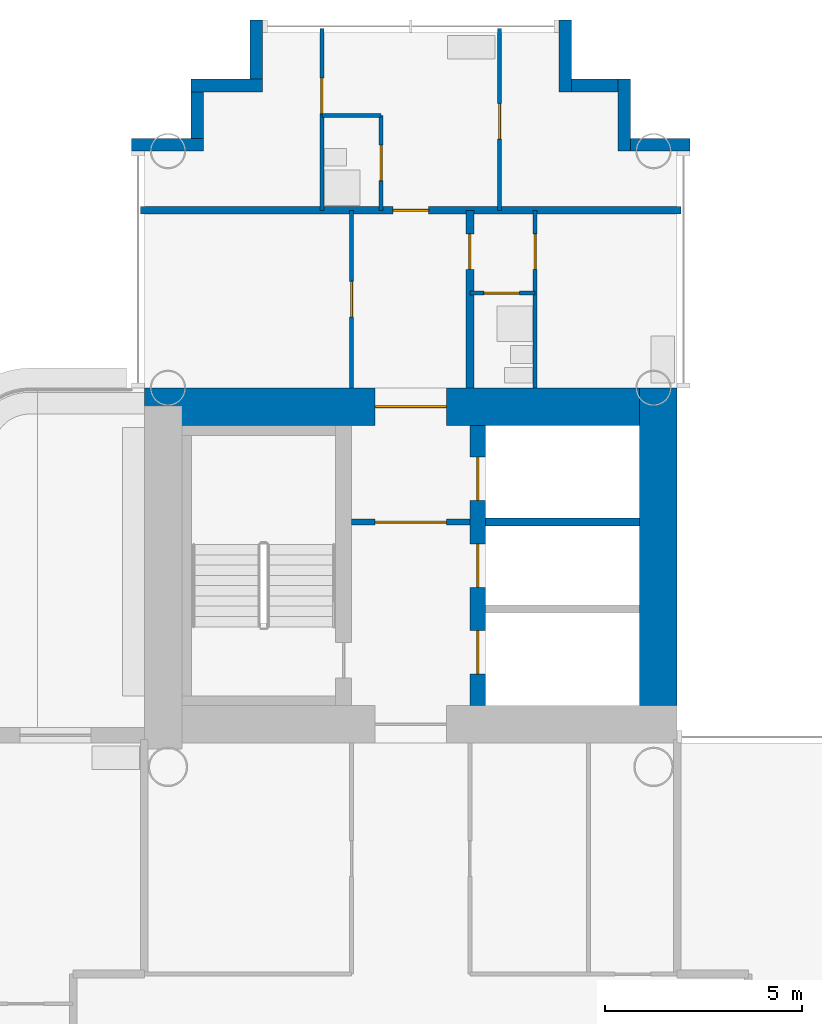
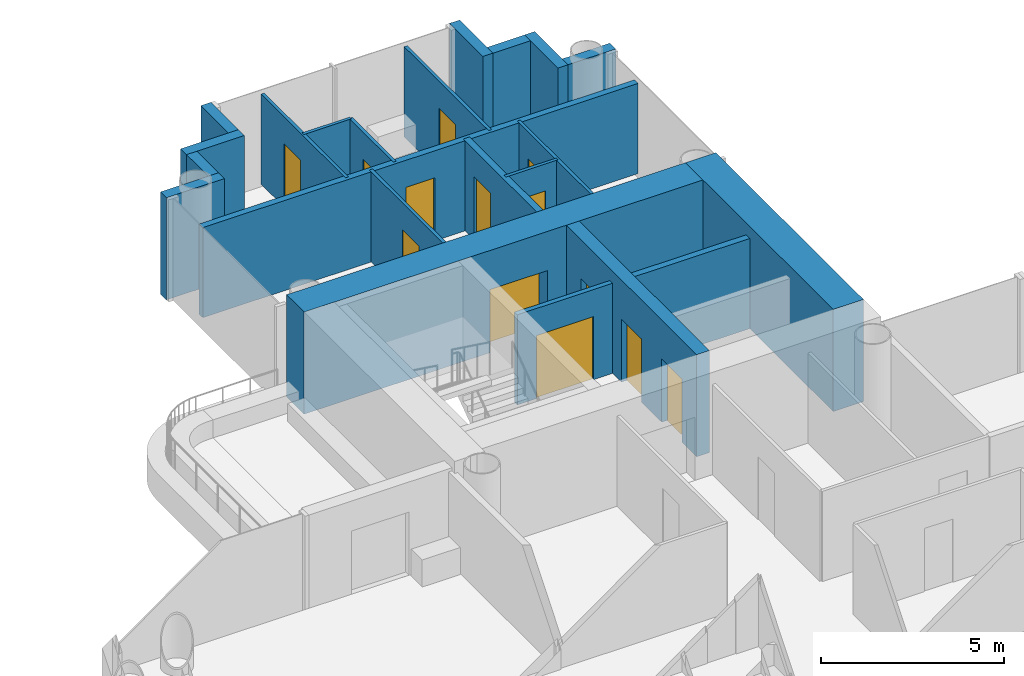
# One storey, part 15 of 22: 22 walls, 13 doors, 13 openings.
"""IFC4 building model written with IfcOpenShell, lengths in metres."""

from ifc_helpers import new_model, si_unit, direction, frame, frame_2d, origin, place, context, subcontext, project, spatial, rectangle, extrude, material, layer, layer_set, type_object, element, fill, save


model = new_model("IFC4")

# Units and contexts
model_context = context("Model", 3, precision=1e-05, world=origin(), true_north=direction((0.0, 1.0)))
body_context = subcontext(model_context, "Body", "Model", "MODEL_VIEW")
ifc_project = project(units=[si_unit("LENGTHUNIT", "METRE"), si_unit("AREAUNIT", "SQUARE_METRE"), si_unit("VOLUMEUNIT", "CUBIC_METRE"), si_unit("PLANEANGLEUNIT", "RADIAN"), si_unit("MASSUNIT", "GRAM", prefix="KILO")], contexts=[model_context])

# Site, building, storey
site_placement = place(None, origin())
site = spatial("IfcSite", under=ifc_project, at=site_placement, CompositionType="ELEMENT")
building_placement = place(site_placement, origin())
building = spatial("IfcBuilding", under=site, at=building_placement, Name="Ipe Terrace Towers", CompositionType="ELEMENT")
storey_placement = place(building_placement, frame((0.0, 0.0, 76.60009765625)))
storey = spatial("IfcBuildingStorey", under=building, at=storey_placement, Name="L20", CompositionType="ELEMENT", Elevation=76.60009765625)

# Walls
ifc_material_1 = material(Name="Concrete C40/50 with buff precast cladding", Category="concrete")
ifc_layer_1 = layer(ifc_material_1, 0.320068359375)
ifc_layer_set_1 = layer_set([ifc_layer_1], Name="BUFF CLADDING WALL 320")
wall_type_1 = type_object("IfcWallType", Name="BUFF CLADDING WALL 320", PredefinedType="STANDARD", material=ifc_layer_set_1)
wall_1_placement = place(storey_placement, frame((43.070068359375, 21.909912109375, -0.300048828125), z_axis=(0.0, 0.0, 1.0), x_axis=(-1.0, 0.0, 0.0)))
element("IfcWall", 1, at=wall_1_placement, inside=storey, type_object=wall_type_1, Name="T2-W-L20-17a wall", PredefinedType="STANDARD", context=body_context, shape_type="SweptSolid", body=[
    extrude(rectangle(XDim=1.5, YDim=0.320068359375, at=frame_2d((0.75, 0.0))), origin(), (0.0, 0.0, 1.0), 3.39990234375),
])
wall_2_placement = place(storey_placement, frame((41.409912109375, 21.75, -0.300048828125), z_axis=(0.0, 0.0, 1.0), x_axis=(0.0, 1.0, 0.0)))
element("IfcWall", 2, at=wall_2_placement, inside=storey, type_object=wall_type_1, Name="T2-W-L20-18a wall", PredefinedType="STANDARD", context=body_context, shape_type="SweptSolid", body=[
    extrude(rectangle(XDim=1.820068359375, YDim=0.320068359375, at=frame_2d((0.91015625, 0.0))), origin(), (0.0, 0.0, 1.0), 3.39990234375),
])
wall_3_placement = place(storey_placement, frame((41.25, 23.409912109375, -0.300048828125), z_axis=(0.0, 0.0, 1.0), x_axis=(-1.0, 0.0, 0.0)))
element("IfcWall", 3, at=wall_3_placement, inside=storey, type_object=wall_type_1, Name="T2-W-L20-19a wall", PredefinedType="STANDARD", context=body_context, shape_type="SweptSolid", body=[
    extrude(rectangle(XDim=1.179931640625, YDim=0.320068359375, at=frame_2d((0.58984375, 0.0))), origin(), (0.0, 0.0, 1.0), 3.39990234375),
])
wall_4_placement = place(storey_placement, frame((39.909912109375, 23.25, -0.300048828125), z_axis=(0.0, 0.0, 1.0), x_axis=(0.0, 1.0, 0.0)))
element("IfcWall", 4, at=wall_4_placement, inside=storey, type_object=wall_type_1, Name="T2-W-L20-20a wall", PredefinedType="STANDARD", context=body_context, shape_type="SweptSolid", body=[
    extrude(rectangle(XDim=1.820068359375, YDim=0.320068359375, at=frame_2d((0.91015625, 0.0))), origin(), (0.0, 0.0, 1.0), 3.39990234375),
])
wall_5_placement = place(storey_placement, frame((32.090087890625, 25.070068359375, -0.300048828125), z_axis=(0.0, 0.0, 1.0), x_axis=(0.0, -1.0, 0.0)))
element("IfcWall", 5, at=wall_5_placement, inside=storey, type_object=wall_type_1, Name="T2-W-L20-22a wall", PredefinedType="STANDARD", context=body_context, shape_type="SweptSolid", body=[
    extrude(rectangle(XDim=1.5, YDim=0.320068359375, at=frame_2d((0.75, 0.0))), origin(), (0.0, 0.0, 1.0), 3.39990234375),
])
wall_6_placement = place(storey_placement, frame((32.25, 23.409912109375, -0.300048828125), z_axis=(0.0, 0.0, 1.0), x_axis=(-1.0, 0.0, 0.0)))
element("IfcWall", 6, at=wall_6_placement, inside=storey, type_object=wall_type_1, Name="T2-W-L20-23a wall", PredefinedType="STANDARD", context=body_context, shape_type="SweptSolid", body=[
    extrude(rectangle(XDim=1.820068359375, YDim=0.320068359375, at=frame_2d((0.91015625, 0.0))), origin(), (0.0, 0.0, 1.0), 3.39990234375),
])
wall_7_placement = place(storey_placement, frame((30.590087890625, 23.25, -0.300048828125), z_axis=(0.0, 0.0, 1.0), x_axis=(0.0, -1.0, 0.0)))
element("IfcWall", 7, at=wall_7_placement, inside=storey, type_object=wall_type_1, Name="T2-W-L20-24a wall", PredefinedType="STANDARD", context=body_context, shape_type="SweptSolid", body=[
    extrude(rectangle(XDim=1.179931640625, YDim=0.320068359375, at=frame_2d((0.58984375, 0.0))), origin(), (0.0, 0.0, 1.0), 3.39990234375),
])
wall_8_placement = place(storey_placement, frame((30.75, 21.909912109375, -0.300048828125), z_axis=(0.0, 0.0, 1.0), x_axis=(-1.0, 0.0, 0.0)))
element("IfcWall", 8, at=wall_8_placement, inside=storey, type_object=wall_type_1, Name="T2-W-L20-25a wall", PredefinedType="STANDARD", context=body_context, shape_type="SweptSolid", body=[
    extrude(rectangle(XDim=1.820068359375, YDim=0.320068359375, at=frame_2d((0.91015625, 0.0))), origin(), (0.0, 0.0, 1.0), 3.39990234375),
])

# Wall, opening, door
ifc_material_2 = material(Name="Gypsum board partition", Category="plasterboard")
ifc_layer_2 = layer(ifc_material_2, 0.10009765625)
ifc_layer_set_2 = layer_set([ifc_layer_2], Name="Gypsum board partition 100 mm")
wall_type_2 = type_object("IfcWallType", Name="Gypsum board partition 100 mm", PredefinedType="PARTITIONING", material=ifc_layer_set_2)
wall_9_placement = place(storey_placement, frame((39.14990234375, 18.14990234375, 0.0), z_axis=(0.0, 0.0, 1.0), x_axis=(-1.0, 0.0, 0.0)))
wall_9 = element("IfcWall", 9, at=wall_9_placement, inside=storey, type_object=wall_type_2, Name="Gypsum board partition T2 L20 W16", PredefinedType="PARTITIONING", context=body_context, shape_type="SweptSolid", body=[
    extrude(rectangle(XDim=1.64990234375, YDim=0.10009765625, at=frame_2d((0.824951171875, 0.0))), origin(), (0.0, 0.0, 1.0), 3.0),
])
opening_1_placement = place(wall_9_placement, frame((0.39990234375, 0.0, 0.0)))
opening_1 = element("IfcOpeningElement", 10, at=opening_1_placement, cuts=wall_9, Name="Opening T2-Z2B-20", PredefinedType="OPENING", context=body_context, shape_type="SweptSolid", body=[
    extrude(rectangle(XDim=0.89990234375, YDim=2.10009765625, at=frame_2d((0.449951171875, 1.050048828125))), frame((0.0, 0.06005859375, 0.0), z_axis=(0.0, -1.0, 0.0), x_axis=(1.0, 0.0, 0.0)), (0.0, 0.0, 1.0), 0.1201171875),
])
ifc_material_3 = material(Name="Timber door leaf", Category="wood")
door_type_1 = type_object("IfcDoorType", Name="Bathroom door 900 x 2100", OperationType="NOTDEFINED", PredefinedType="DOOR", material=ifc_material_3)
door_1_placement = place(opening_1_placement, origin())
door_1 = element("IfcDoor", 11, at=door_1_placement, inside=storey, type_object=door_type_1, Name="Bathroom door T2-Z2B-20", OperationType="SINGLE_SWING_LEFT", OverallHeight=2.10009765625, OverallWidth=0.89990234375, PredefinedType="DOOR", context=body_context, shape_type="SweptSolid", body=[
    extrude(rectangle(XDim=0.89990234375, YDim=2.10009765625, at=frame_2d((0.449951171875, 1.050048828125))), frame((0.0, 0.02490234375, 0.0), z_axis=(0.0, -1.0, 0.0), x_axis=(1.0, 0.0, 0.0)), (0.0, 0.0, 1.0), 0.050048828125),
])
fill(opening_1, door_1)

# Wall
wall_10_placement = place(storey_placement, frame((35.25, 22.64990234375, 0.0), z_axis=(0.0, 0.0, 1.0), x_axis=(-1.0, 0.0, 0.0)))
element("IfcWall", 12, at=wall_10_placement, inside=storey, type_object=wall_type_2, Name="Gypsum board partition T2 L20 W18", PredefinedType="PARTITIONING", context=body_context, shape_type="SweptSolid", body=[
    extrude(rectangle(XDim=1.5, YDim=0.10009765625, at=frame_2d((0.75, 0.0))), origin(), (0.0, 0.0, 1.0), 3.0),
])

# Wall, opening, door
wall_11_placement = place(storey_placement, frame((39.14990234375, 15.75, 0.0), z_axis=(0.0, 0.0, 1.0), x_axis=(0.0, 1.0, 0.0)))
wall_11 = element("IfcWall", 13, at=wall_11_placement, inside=storey, type_object=wall_type_2, Name="Gypsum board partition T2 L20 W26", PredefinedType="PARTITIONING", context=body_context, shape_type="SweptSolid", body=[
    extrude(rectangle(XDim=4.5, YDim=0.10009765625, at=frame_2d((2.25, 0.0))), origin(), (0.0, 0.0, 1.0), 3.0),
])
opening_2_placement = place(wall_11_placement, frame((3.0, 0.0, 0.0)))
opening_2 = element("IfcOpeningElement", 14, at=opening_2_placement, cuts=wall_11, Name="Opening T2-Z2B-19", PredefinedType="OPENING", context=body_context, shape_type="SweptSolid", body=[
    extrude(rectangle(XDim=0.89990234375, YDim=2.10009765625, at=frame_2d((0.449951171875, 1.050048828125))), frame((0.0, 0.06005859375, 0.0), z_axis=(0.0, -1.0, 0.0), x_axis=(1.0, 0.0, 0.0)), (0.0, 0.0, 1.0), 0.1201171875),
])
ifc_material_4 = material(Name="Timber door leaf", Category="wood")
door_type_2 = type_object("IfcDoorType", Name="Bedroom door 900 x 2100", OperationType="NOTDEFINED", PredefinedType="DOOR", material=ifc_material_4)
door_2_placement = place(opening_2_placement, origin())
door_2 = element("IfcDoor", 15, at=door_2_placement, inside=storey, type_object=door_type_2, Name="Bedroom door T2-Z2B-19", OperationType="SINGLE_SWING_RIGHT", OverallHeight=2.10009765625, OverallWidth=0.89990234375, PredefinedType="DOOR", context=body_context, shape_type="SweptSolid", body=[
    extrude(rectangle(XDim=0.89990234375, YDim=2.10009765625, at=frame_2d((0.449951171875, 1.050048828125))), frame((0.0, 0.02490234375, 0.0), z_axis=(0.0, -1.0, 0.0), x_axis=(1.0, 0.0, 0.0)), (0.0, 0.0, 1.0), 0.050048828125),
])
fill(opening_2, door_2)

wall_12_placement = place(storey_placement, frame((38.25, 20.25, 0.0), z_axis=(0.0, 0.0, 1.0), x_axis=(0.0, 1.0, 0.0)))
wall_12 = element("IfcWall", 16, at=wall_12_placement, inside=storey, type_object=wall_type_2, Name="Gypsum board partition T2 L20 W27", PredefinedType="PARTITIONING", context=body_context, shape_type="SweptSolid", body=[
    extrude(rectangle(XDim=4.60009765625, YDim=0.10009765625, at=frame_2d((2.300048828125, 0.0))), origin(), (0.0, 0.0, 1.0), 3.0),
])
opening_3_placement = place(wall_12_placement, frame((1.800048828125, 0.0, 0.0)))
opening_3 = element("IfcOpeningElement", 17, at=opening_3_placement, cuts=wall_12, Name="Opening T2-Z2B-24", PredefinedType="OPENING", context=body_context, shape_type="SweptSolid", body=[
    extrude(rectangle(XDim=0.89990234375, YDim=2.10009765625, at=frame_2d((0.449951171875, 1.050048828125))), frame((0.0, 0.06005859375, 0.0), z_axis=(0.0, -1.0, 0.0), x_axis=(1.0, 0.0, 0.0)), (0.0, 0.0, 1.0), 0.1201171875),
])
ifc_material_5 = material(Name="Timber door leaf", Category="wood")
door_type_3 = type_object("IfcDoorType", Name="Lounge door 900 x 2100", OperationType="NOTDEFINED", PredefinedType="DOOR", material=ifc_material_5)
door_3_placement = place(opening_3_placement, origin())
door_3 = element("IfcDoor", 18, at=door_3_placement, inside=storey, type_object=door_type_3, Name="Lounge door T2-Z2B-24", OperationType="SINGLE_SWING_LEFT", OverallHeight=2.10009765625, OverallWidth=0.89990234375, PredefinedType="DOOR", context=body_context, shape_type="SweptSolid", body=[
    extrude(rectangle(XDim=0.89990234375, YDim=2.10009765625, at=frame_2d((0.449951171875, 1.050048828125))), frame((0.0, 0.02490234375, 0.0), z_axis=(0.0, -1.0, 0.0), x_axis=(1.0, 0.0, 0.0)), (0.0, 0.0, 1.0), 0.050048828125),
])
fill(opening_3, door_3)

wall_13_placement = place(storey_placement, frame((35.25, 20.25, 0.0), z_axis=(0.0, 0.0, 1.0), x_axis=(0.0, 1.0, 0.0)))
wall_13 = element("IfcWall", 19, at=wall_13_placement, inside=storey, type_object=wall_type_2, Name="Gypsum board partition T2 L20 W31", PredefinedType="PARTITIONING", context=body_context, shape_type="SweptSolid", body=[
    extrude(rectangle(XDim=2.39990234375, YDim=0.10009765625, at=frame_2d((1.199951171875, 0.0))), origin(), (0.0, 0.0, 1.0), 3.0),
])
opening_4_placement = place(wall_13_placement, frame((0.75, 0.0, 0.0)))
opening_4 = element("IfcOpeningElement", 20, at=opening_4_placement, cuts=wall_13, Name="Opening T2-Z2B-21", PredefinedType="OPENING", context=body_context, shape_type="SweptSolid", body=[
    extrude(rectangle(XDim=0.89990234375, YDim=2.10009765625, at=frame_2d((0.449951171875, 1.050048828125))), frame((0.0, 0.06005859375, 0.0), z_axis=(0.0, -1.0, 0.0), x_axis=(1.0, 0.0, 0.0)), (0.0, 0.0, 1.0), 0.1201171875),
])
door_4_placement = place(opening_4_placement, origin())
door_4 = element("IfcDoor", 21, at=door_4_placement, inside=storey, type_object=door_type_1, Name="Bathroom door T2-Z2B-21", OperationType="SINGLE_SWING_LEFT", OverallHeight=2.10009765625, OverallWidth=0.89990234375, PredefinedType="DOOR", context=body_context, shape_type="SweptSolid", body=[
    extrude(rectangle(XDim=0.89990234375, YDim=2.10009765625, at=frame_2d((0.449951171875, 1.050048828125))), frame((0.0, 0.02490234375, 0.0), z_axis=(0.0, -1.0, 0.0), x_axis=(1.0, 0.0, 0.0)), (0.0, 0.0, 1.0), 0.050048828125),
])
fill(opening_4, door_4)

wall_14_placement = place(storey_placement, frame((34.5, 15.75, 0.0), z_axis=(0.0, 0.0, 1.0), x_axis=(0.0, 1.0, 0.0)))
wall_14 = element("IfcWall", 22, at=wall_14_placement, inside=storey, type_object=wall_type_2, Name="Gypsum board partition T2 L20 W34", PredefinedType="PARTITIONING", context=body_context, shape_type="SweptSolid", body=[
    extrude(rectangle(XDim=4.5, YDim=0.10009765625, at=frame_2d((2.25, 0.0))), origin(), (0.0, 0.0, 1.0), 3.0),
])
opening_5_placement = place(wall_14_placement, frame((1.800048828125, 0.0, 0.0)))
opening_5 = element("IfcOpeningElement", 23, at=opening_5_placement, cuts=wall_14, Name="Opening T2-Z2B-17", PredefinedType="OPENING", context=body_context, shape_type="SweptSolid", body=[
    extrude(rectangle(XDim=0.89990234375, YDim=2.10009765625, at=frame_2d((0.449951171875, 1.050048828125))), frame((0.0, 0.06005859375, 0.0), z_axis=(0.0, -1.0, 0.0), x_axis=(1.0, 0.0, 0.0)), (0.0, 0.0, 1.0), 0.1201171875),
])
door_5_placement = place(opening_5_placement, origin())
door_5 = element("IfcDoor", 24, at=door_5_placement, inside=storey, type_object=door_type_3, Name="Lounge door T2-Z2B-17", OperationType="SINGLE_SWING_LEFT", OverallHeight=2.10009765625, OverallWidth=0.89990234375, PredefinedType="DOOR", context=body_context, shape_type="SweptSolid", body=[
    extrude(rectangle(XDim=0.89990234375, YDim=2.10009765625, at=frame_2d((0.449951171875, 1.050048828125))), frame((0.0, 0.02490234375, 0.0), z_axis=(0.0, -1.0, 0.0), x_axis=(1.0, 0.0, 0.0)), (0.0, 0.0, 1.0), 0.050048828125),
])
fill(opening_5, door_5)

wall_15_placement = place(storey_placement, frame((33.75, 20.25, 0.0), z_axis=(0.0, 0.0, 1.0), x_axis=(0.0, 1.0, 0.0)))
wall_15 = element("IfcWall", 25, at=wall_15_placement, inside=storey, type_object=wall_type_2, Name="Gypsum board partition T2 L20 W35", PredefinedType="PARTITIONING", context=body_context, shape_type="SweptSolid", body=[
    extrude(rectangle(XDim=4.60009765625, YDim=0.10009765625, at=frame_2d((2.300048828125, 0.0))), origin(), (0.0, 0.0, 1.0), 3.0),
])
opening_6_placement = place(wall_15_placement, frame((2.449951171875, 0.0, 0.0)))
opening_6 = element("IfcOpeningElement", 26, at=opening_6_placement, cuts=wall_15, Name="Opening T2-Z2B-23", PredefinedType="OPENING", context=body_context, shape_type="SweptSolid", body=[
    extrude(rectangle(XDim=0.89990234375, YDim=2.10009765625, at=frame_2d((0.449951171875, 1.050048828125))), frame((0.0, 0.06005859375, 0.0), z_axis=(0.0, -1.0, 0.0), x_axis=(1.0, 0.0, 0.0)), (0.0, 0.0, 1.0), 0.1201171875),
])
door_6_placement = place(opening_6_placement, origin())
door_6 = element("IfcDoor", 27, at=door_6_placement, inside=storey, type_object=door_type_3, Name="Lounge door T2-Z2B-23", OperationType="SINGLE_SWING_LEFT", OverallHeight=2.10009765625, OverallWidth=0.89990234375, PredefinedType="DOOR", context=body_context, shape_type="SweptSolid", body=[
    extrude(rectangle(XDim=0.89990234375, YDim=2.10009765625, at=frame_2d((0.449951171875, 1.050048828125))), frame((0.0, 0.02490234375, 0.0), z_axis=(0.0, -1.0, 0.0), x_axis=(1.0, 0.0, 0.0)), (0.0, 0.0, 1.0), 0.050048828125),
])
fill(opening_6, door_6)

ifc_material_6 = material(Name="Gypsum board partition", Category="plasterboard")
ifc_layer_3 = layer(ifc_material_6, 0.14990234375)
ifc_layer_set_3 = layer_set([ifc_layer_3], Name="Gypsum board partition 150 mm")
wall_type_3 = type_object("IfcWallType", Name="Gypsum board partition 150 mm", PredefinedType="PARTITIONING", material=ifc_layer_set_3)
wall_16_placement = place(storey_placement, frame((37.5, 12.35009765625, 0.0), z_axis=(0.0, 0.0, 1.0), x_axis=(-1.0, 0.0, 0.0)))
wall_16 = element("IfcWall", 28, at=wall_16_placement, inside=storey, type_object=wall_type_3, Name="Gypsum board partition T2 L20 t2c1-lobby-wall", PredefinedType="PARTITIONING", context=body_context, shape_type="SweptSolid", body=[
    extrude(rectangle(XDim=3.0, YDim=0.14990234375, at=frame_2d((1.5, 0.0))), origin(), (0.0, 0.0, 1.0), 3.0),
])
opening_7_placement = place(wall_16_placement, frame((0.60009765625, 0.0, 0.0)))
opening_7 = element("IfcOpeningElement", 29, at=opening_7_placement, cuts=wall_16, Name="Opening T2C1-VD", PredefinedType="OPENING", context=body_context, shape_type="SweptSolid", body=[
    extrude(rectangle(XDim=1.800048828125, YDim=2.10009765625, at=frame_2d((0.89990234375, 1.050048828125))), frame((0.0, 0.0849609375, 0.0), z_axis=(0.0, -1.0, 0.0), x_axis=(1.0, 0.0, 0.0)), (0.0, 0.0, 1.0), 0.169921875),
])
ifc_material_7 = material(Name="Fire-rated timber door leaf", Category="wood")
door_type_4 = type_object("IfcDoorType", Name="Lobby door 1800 x 2100 FD60", OperationType="NOTDEFINED", PredefinedType="DOOR", material=ifc_material_7)
door_7_placement = place(opening_7_placement, origin())
door_7 = element("IfcDoor", 30, at=door_7_placement, inside=storey, type_object=door_type_4, Name="Lobby door T2C1-VD", OperationType="SINGLE_SWING_LEFT", OverallHeight=2.10009765625, OverallWidth=1.800048828125, PredefinedType="DOOR", context=body_context, shape_type="SweptSolid", body=[
    extrude(rectangle(XDim=1.800048828125, YDim=2.10009765625, at=frame_2d((0.89990234375, 1.050048828125))), frame((0.0, 0.02490234375, 0.0), z_axis=(0.0, -1.0, 0.0), x_axis=(1.0, 0.0, 0.0)), (0.0, 0.0, 1.0), 0.050048828125),
])
fill(opening_7, door_7)

# Wall
ifc_material_8 = material(Name="Gypsum board party wall", Category="plasterboard")
ifc_layer_4 = layer(ifc_material_8, 0.199951171875)
ifc_layer_set_4 = layer_set([ifc_layer_4], Name="Gypsum board party wall 200 mm")
wall_type_4 = type_object("IfcWallType", Name="Gypsum board party wall 200 mm", PredefinedType="SOLIDWALL", material=ifc_layer_set_4)
wall_17_placement = place(storey_placement, frame((41.800048828125, 12.35009765625, 0.0), z_axis=(0.0, 0.0, 1.0), x_axis=(-1.0, 0.0, 0.0)))
element("IfcWall", 31, at=wall_17_placement, inside=storey, type_object=wall_type_4, Name="Gypsum board party wall T2 L20 t2c1-shaft-div2", PredefinedType="SOLIDWALL", context=body_context, shape_type="SweptSolid", body=[
    extrude(rectangle(XDim=3.900146484375, YDim=0.199951171875, at=frame_2d((1.9501953125, 0.0))), origin(), (0.0, 0.0, 1.0), 3.0),
])

# Wall, opening, door
wall_18_placement = place(storey_placement, frame((42.85009765625, 20.25, 0.0), z_axis=(0.0, 0.0, 1.0), x_axis=(-1.0, 0.0, 0.0)))
wall_18 = element("IfcWall", 32, at=wall_18_placement, inside=storey, type_object=wall_type_4, Name="Gypsum board party wall T2 L20 W17", PredefinedType="SOLIDWALL", context=body_context, shape_type="SweptSolid", body=[
    extrude(rectangle(XDim=13.7001953125, YDim=0.199951171875, at=frame_2d((6.85009765625, 0.0))), origin(), (0.0, 0.0, 1.0), 3.0),
])
opening_8_placement = place(wall_18_placement, frame((6.39990234375, 0.0, 0.0)))
opening_8 = element("IfcOpeningElement", 33, at=opening_8_placement, cuts=wall_18, Name="Opening T2-Z2B-22", PredefinedType="OPENING", context=body_context, shape_type="SweptSolid", body=[
    extrude(rectangle(XDim=0.89990234375, YDim=2.10009765625, at=frame_2d((0.449951171875, 1.050048828125))), frame((0.0, 0.10986328125, 0.0), z_axis=(0.0, -1.0, 0.0), x_axis=(1.0, 0.0, 0.0)), (0.0, 0.0, 1.0), 0.219970703125),
])
ifc_material_9 = material(Name="Fire-rated timber door leaf", Category="wood")
door_type_5 = type_object("IfcDoorType", Name="Flat entrance door 900 x 2100 FD30S", OperationType="NOTDEFINED", PredefinedType="DOOR", material=ifc_material_9)
door_8_placement = place(opening_8_placement, origin())
door_8 = element("IfcDoor", 34, at=door_8_placement, inside=storey, type_object=door_type_5, Name="Flat entrance door T2-Z2B-22", OperationType="SINGLE_SWING_RIGHT", OverallHeight=2.10009765625, OverallWidth=0.89990234375, PredefinedType="DOOR", context=body_context, shape_type="SweptSolid", body=[
    extrude(rectangle(XDim=0.89990234375, YDim=2.10009765625, at=frame_2d((0.449951171875, 1.050048828125))), frame((0.0, 0.02490234375, 0.0), z_axis=(0.0, -1.0, 0.0), x_axis=(1.0, 0.0, 0.0)), (0.0, 0.0, 1.0), 0.050048828125),
])
fill(opening_8, door_8)

wall_19_placement = place(storey_placement, frame((37.5, 15.75, 0.0), z_axis=(0.0, 0.0, 1.0), x_axis=(0.0, 1.0, 0.0)))
wall_19 = element("IfcWall", 35, at=wall_19_placement, inside=storey, type_object=wall_type_4, Name="Gypsum board party wall T2 L20 W30", PredefinedType="SOLIDWALL", context=body_context, shape_type="SweptSolid", body=[
    extrude(rectangle(XDim=4.5, YDim=0.199951171875, at=frame_2d((2.25, 0.0))), origin(), (0.0, 0.0, 1.0), 3.0),
])
opening_9_placement = place(wall_19_placement, frame((3.0, 0.0, 0.0)))
opening_9 = element("IfcOpeningElement", 36, at=opening_9_placement, cuts=wall_19, Name="Opening T2-Z2B-18", PredefinedType="OPENING", context=body_context, shape_type="SweptSolid", body=[
    extrude(rectangle(XDim=0.89990234375, YDim=2.10009765625, at=frame_2d((0.449951171875, 1.050048828125))), frame((0.0, 0.10986328125, 0.0), z_axis=(0.0, -1.0, 0.0), x_axis=(1.0, 0.0, 0.0)), (0.0, 0.0, 1.0), 0.219970703125),
])
door_9_placement = place(opening_9_placement, origin())
door_9 = element("IfcDoor", 37, at=door_9_placement, inside=storey, type_object=door_type_5, Name="Flat entrance door T2-Z2B-18", OperationType="SINGLE_SWING_RIGHT", OverallHeight=2.10009765625, OverallWidth=0.89990234375, PredefinedType="DOOR", context=body_context, shape_type="SweptSolid", body=[
    extrude(rectangle(XDim=0.89990234375, YDim=2.10009765625, at=frame_2d((0.449951171875, 1.050048828125))), frame((0.0, 0.02490234375, 0.0), z_axis=(0.0, -1.0, 0.0), x_axis=(1.0, 0.0, 0.0)), (0.0, 0.0, 1.0), 0.050048828125),
])
fill(opening_9, door_9)

# Wall, openings, doors
ifc_material_10 = material(Name="Concrete C50/60", Category="concrete")
ifc_layer_5 = layer(ifc_material_10, 0.39990234375)
ifc_layer_set_5 = layer_set([ifc_layer_5], Name="RW400 CORE SPINE WALL 400 C50-60")
wall_type_5 = type_object("IfcWallType", Name="RW400 CORE SPINE WALL 400 C50-60", PredefinedType="SHEAR", material=ifc_layer_set_5)
wall_20_placement = place(storey_placement, frame((37.699951171875, 7.699951171875, 0.0), z_axis=(0.0, 0.0, 1.0), x_axis=(0.0, 1.0, 0.0)))
wall_20 = element("IfcWall", 38, at=wall_20_placement, inside=storey, type_object=wall_type_5, Name="Core spine wall T2-C1-Z2-SW2", PredefinedType="SHEAR", context=body_context, shape_type="SweptSolid", body=[
    extrude(rectangle(XDim=7.10009765625, YDim=0.39990234375, at=frame_2d((3.550048828125, 0.0))), origin(), (0.0, 0.0, 1.0), 3.39990234375),
])
opening_10_placement = place(wall_20_placement, frame((0.800048828125, 0.0, 0.0)))
opening_10 = element("IfcOpeningElement", 39, at=opening_10_placement, cuts=wall_20, Name="Opening T2C1-LD1", PredefinedType="OPENING", context=body_context, shape_type="SweptSolid", body=[
    extrude(rectangle(XDim=1.10009765625, YDim=2.10009765625, at=frame_2d((0.550048828125, 1.050048828125))), frame((0.0, 0.2099609375, 0.0), z_axis=(0.0, -1.0, 0.0), x_axis=(1.0, 0.0, 0.0)), (0.0, 0.0, 1.0), 0.419921875),
])
opening_11_placement = place(wall_20_placement, frame((3.0, 0.0, 0.0)))
opening_11 = element("IfcOpeningElement", 40, at=opening_11_placement, cuts=wall_20, Name="Opening T2C1-LD2", PredefinedType="OPENING", context=body_context, shape_type="SweptSolid", body=[
    extrude(rectangle(XDim=1.10009765625, YDim=2.10009765625, at=frame_2d((0.550048828125, 1.050048828125))), frame((0.0, 0.2099609375, 0.0), z_axis=(0.0, -1.0, 0.0), x_axis=(1.0, 0.0, 0.0)), (0.0, 0.0, 1.0), 0.419921875),
])
opening_12_placement = place(wall_20_placement, frame((5.199951171875, 0.0, 0.0)))
opening_12 = element("IfcOpeningElement", 41, at=opening_12_placement, cuts=wall_20, Name="Opening T2C1-LD3", PredefinedType="OPENING", context=body_context, shape_type="SweptSolid", body=[
    extrude(rectangle(XDim=1.10009765625, YDim=2.10009765625, at=frame_2d((0.550048828125, 1.050048828125))), frame((0.0, 0.2099609375, 0.0), z_axis=(0.0, -1.0, 0.0), x_axis=(1.0, 0.0, 0.0)), (0.0, 0.0, 1.0), 0.419921875),
])
ifc_material_11 = material(Name="Fire-rated timber door leaf", Category="wood")
door_type_6 = type_object("IfcDoorType", Name="Sliding door 1100 x 2100 FD60", OperationType="SLIDING_TO_LEFT", PredefinedType="DOOR", material=ifc_material_11)
door_10_placement = place(opening_10_placement, origin())
door_10 = element("IfcDoor", 42, at=door_10_placement, inside=storey, type_object=door_type_6, Name="Sliding door T2C1-LD1", OperationType="SLIDING_TO_LEFT", OverallHeight=2.10009765625, OverallWidth=1.10009765625, PredefinedType="DOOR", context=body_context, shape_type="SweptSolid", body=[
    extrude(rectangle(XDim=1.10009765625, YDim=2.10009765625, at=frame_2d((0.550048828125, 1.050048828125))), frame((0.0, 0.02490234375, 0.0), z_axis=(0.0, -1.0, 0.0), x_axis=(1.0, 0.0, 0.0)), (0.0, 0.0, 1.0), 0.050048828125),
])
fill(opening_10, door_10)
door_11_placement = place(opening_11_placement, origin())
door_11 = element("IfcDoor", 43, at=door_11_placement, inside=storey, type_object=door_type_6, Name="Sliding door T2C1-LD2", OperationType="SLIDING_TO_LEFT", OverallHeight=2.10009765625, OverallWidth=1.10009765625, PredefinedType="DOOR", context=body_context, shape_type="SweptSolid", body=[
    extrude(rectangle(XDim=1.10009765625, YDim=2.10009765625, at=frame_2d((0.550048828125, 1.050048828125))), frame((0.0, 0.02490234375, 0.0), z_axis=(0.0, -1.0, 0.0), x_axis=(1.0, 0.0, 0.0)), (0.0, 0.0, 1.0), 0.050048828125),
])
fill(opening_11, door_11)
door_12_placement = place(opening_12_placement, origin())
door_12 = element("IfcDoor", 44, at=door_12_placement, inside=storey, type_object=door_type_6, Name="Sliding door T2C1-LD3", OperationType="SLIDING_TO_LEFT", OverallHeight=2.10009765625, OverallWidth=1.10009765625, PredefinedType="DOOR", context=body_context, shape_type="SweptSolid", body=[
    extrude(rectangle(XDim=1.10009765625, YDim=2.10009765625, at=frame_2d((0.550048828125, 1.050048828125))), frame((0.0, 0.02490234375, 0.0), z_axis=(0.0, -1.0, 0.0), x_axis=(1.0, 0.0, 0.0)), (0.0, 0.0, 1.0), 0.050048828125),
])
fill(opening_12, door_12)

# Wall
ifc_material_12 = material(Name="Concrete C50/60", Category="concrete")
ifc_layer_6 = layer(ifc_material_12, 0.949951171875)
ifc_layer_set_6 = layer_set([ifc_layer_6], Name="RW950 CORE WALL 950 C50-60")
wall_type_6 = type_object("IfcWallType", Name="RW950 CORE WALL 950 C50-60", PredefinedType="SHEAR", material=ifc_layer_set_6)
wall_21_placement = place(storey_placement, frame((42.27490234375, 7.699951171875, 0.0), z_axis=(0.0, 0.0, 1.0), x_axis=(0.0, 1.0, 0.0)))
element("IfcWall", 45, at=wall_21_placement, inside=storey, type_object=wall_type_6, Name="Core wall T2-C1-Z2-W02", PredefinedType="SHEAR", context=body_context, shape_type="SweptSolid", body=[
    extrude(rectangle(XDim=8.050048828125, YDim=0.949951171875, at=frame_2d((4.02490234375, 0.0))), origin(), (0.0, 0.0, 1.0), 3.39990234375),
])

# Wall, opening, door
wall_22_placement = place(storey_placement, frame((41.800048828125, 15.27490234375, 0.0), z_axis=(0.0, 0.0, 1.0), x_axis=(-1.0, 0.0, 0.0)))
wall_22 = element("IfcWall", 46, at=wall_22_placement, inside=storey, type_object=wall_type_6, Name="Core wall T2-C1-Z2-W03", PredefinedType="SHEAR", context=body_context, shape_type="SweptSolid", body=[
    extrude(rectangle(XDim=12.550048828125, YDim=0.949951171875, at=frame_2d((6.27490234375, 0.0))), origin(), (0.0, 0.0, 1.0), 3.39990234375),
])
opening_13_placement = place(wall_22_placement, frame((4.89990234375, 0.0, 0.0)))
opening_13 = element("IfcOpeningElement", 47, at=opening_13_placement, cuts=wall_22, Name="Opening T2C1-FD", PredefinedType="OPENING", context=body_context, shape_type="SweptSolid", body=[
    extrude(rectangle(XDim=1.800048828125, YDim=2.10009765625, at=frame_2d((0.89990234375, 1.050048828125))), frame((0.0, 0.48486328125, 0.0), z_axis=(0.0, -1.0, 0.0), x_axis=(1.0, 0.0, 0.0)), (0.0, 0.0, 1.0), 0.969970703125),
])
ifc_material_13 = material(Name="Fire-rated timber door leaf", Category="wood")
door_type_7 = type_object("IfcDoorType", Name="Fire door 1800 x 2100 FD30S", OperationType="NOTDEFINED", PredefinedType="DOOR", material=ifc_material_13)
door_13_placement = place(opening_13_placement, origin())
door_13 = element("IfcDoor", 48, at=door_13_placement, inside=storey, type_object=door_type_7, Name="Fire door T2C1-FD", OperationType="SINGLE_SWING_LEFT", OverallHeight=2.10009765625, OverallWidth=1.800048828125, PredefinedType="DOOR", context=body_context, shape_type="SweptSolid", body=[
    extrude(rectangle(XDim=1.800048828125, YDim=2.10009765625, at=frame_2d((0.89990234375, 1.050048828125))), frame((0.0, 0.02490234375, 0.0), z_axis=(0.0, -1.0, 0.0), x_axis=(1.0, 0.0, 0.0)), (0.0, 0.0, 1.0), 0.050048828125),
])
fill(opening_13, door_13)

save(model, "model.ifc")
